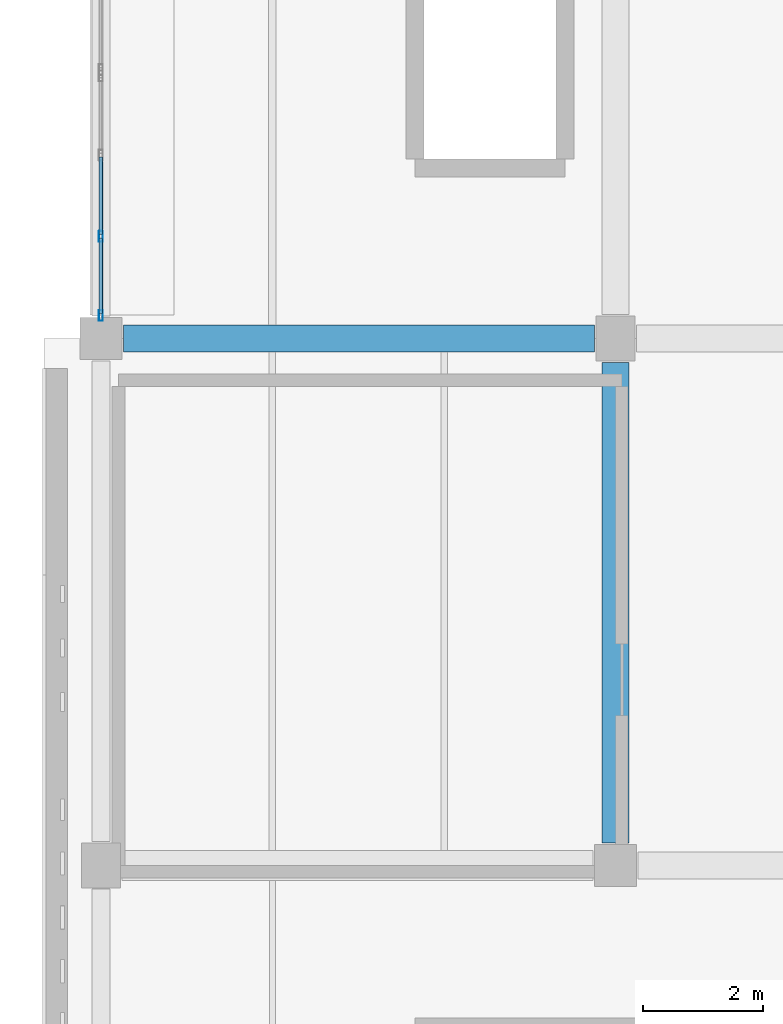
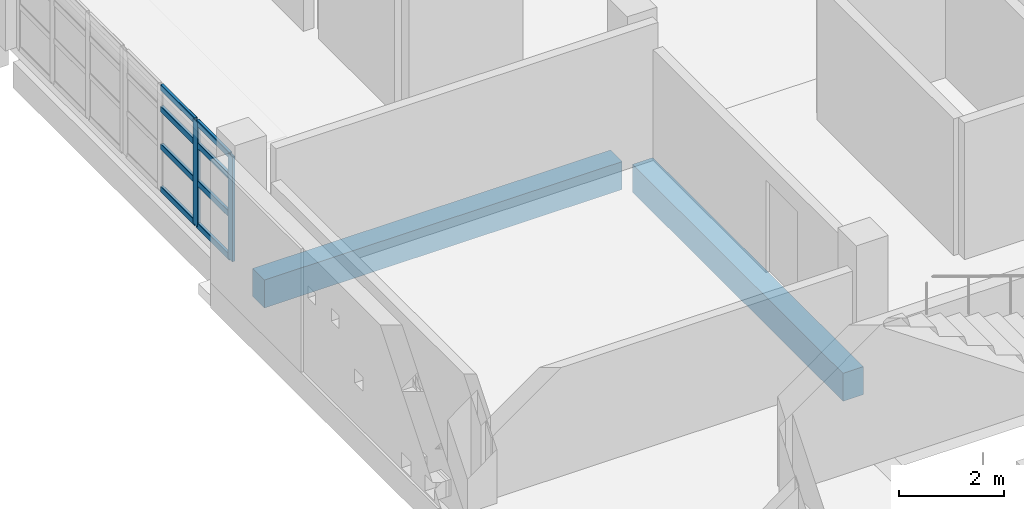
# One storey, part 7 of 55: 10 members, 2 beams, 1 element without a shape of its own.
"""IFC4 building model written with IfcOpenShell, lengths in metres."""

from ifc_helpers import new_model, si_unit, direction, frame, origin, origin_2d, place, context, subcontext, project, spatial, rectangle, hollow_rectangle, extrude, material, material_profile, profile_set, type_object, element, aggregate, save


model = new_model("IFC4")

# Units and contexts
model_context = context("Model", 3, precision=1e-05, world=origin(), true_north=direction((0.0, 1.0)))
body_context = subcontext(model_context, "Body", "Model", "MODEL_VIEW")
ifc_project = project(units=[si_unit("LENGTHUNIT", "METRE"), si_unit("AREAUNIT", "SQUARE_METRE"), si_unit("VOLUMEUNIT", "CUBIC_METRE"), si_unit("PLANEANGLEUNIT", "RADIAN"), si_unit("MASSUNIT", "GRAM", prefix="KILO")], contexts=[model_context])

# Site, building, storey
site_placement = place(None, origin())
site = spatial("IfcSite", under=ifc_project, at=site_placement, CompositionType="ELEMENT")
building_placement = place(site_placement, origin())
building = spatial("IfcBuilding", under=site, at=building_placement, Name="Varnakota Cinema and Media Centre", CompositionType="ELEMENT")
storey_placement = place(building_placement, frame((0.0, 0.0, 15.60009765625)))
storey = spatial("IfcBuildingStorey", under=building, at=storey_placement, Name="L04", CompositionType="ELEMENT", Elevation=15.60009765625)

# Beams
ifc_material_1 = material(Name="Concrete M35", Category="concrete")
ifc_material_profile_1 = material_profile(ifc_material_1, rectangle(XDim=0.449951171875, YDim=0.64990234375, at=origin_2d()), Name="RCB 450x650")
ifc_profile_set_1 = profile_set([ifc_material_profile_1], Name="Concrete M35")
beam_type = type_object("IfcBeamType", Name="BM-RC-450x650", PredefinedType="BEAM", material=ifc_profile_set_1)
beam_1_placement = place(storey_placement, frame((0.375, 35.199951171875, -0.5751953125), z_axis=(1.0, 0.0, 0.0), x_axis=(0.0, 1.0, 0.0)))
element("IfcBeam", 1, at=beam_1_placement, inside=storey, type_object=beam_type, Name="L04 girder A-B/5", PredefinedType="BEAM", context=body_context, shape_type="SweptSolid", body=[
    extrude(rectangle(XDim=0.449951171875, YDim=0.64990234375, at=origin_2d()), origin(), (0.0, 0.0, 1.0), 7.875),
])
beam_2_placement = place(storey_placement, frame((8.60009765625, 26.77490234375, -0.5751953125), z_axis=(0.0, 1.0, 0.0), x_axis=(-1.0, 0.0, 0.0)))
element("IfcBeam", 2, at=beam_2_placement, inside=storey, type_object=beam_type, Name="L04 girder B/4-5", PredefinedType="BEAM", context=body_context, shape_type="SweptSolid", body=[
    extrude(rectangle(XDim=0.449951171875, YDim=0.64990234375, at=origin_2d()), origin(), (0.0, 0.0, 1.0), 8.025146484375),
])

# Curtain wall, members
ifc_material_2 = material(Name="Thermally broken anodised aluminium AW-6063", Category="aluminium")
curtain_wall_type = type_object("IfcCurtainWallType", Name="CW-STD-407x244", PredefinedType="USERDEFINED", material=ifc_material_2)
curtain_wall_placement = place(storey_placement, origin())
curtain_wall = element("IfcCurtainWall", 3, at=curtain_wall_placement, inside=storey, type_object=curtain_wall_type, Name="L04 curtain wall CW-L04-V5-W-03-2", ObjectType="UNITISED CURTAIN WALL", PredefinedType="USERDEFINED")
ifc_material_3 = material(Name="Thermally broken anodised aluminium AW-6063", Category="aluminium")
ifc_material_profile_2 = material_profile(ifc_material_3, hollow_rectangle(XDim=0.06494140625, YDim=0.179931640625, WallThickness=0.00390625, InnerFilletRadius=0.00390625, OuterFilletRadius=0.008056640625, at=origin_2d()), Name="AL-MULLION 180x65x4")
ifc_profile_set_2 = profile_set([ifc_material_profile_2], Name="Thermally broken anodised aluminium AW-6063")
member_type_1 = type_object("IfcMemberType", Name="CWM-AL-180", PredefinedType="MULLION", material=ifc_profile_set_2)
member_1_placement = place(storey_placement, frame((0.0, 36.90576171875, 0.0), z_axis=(0.0, 0.0, 1.0), x_axis=(1.0, 0.0, 0.0)))
member_1 = element("IfcMember", 4, at=member_1_placement, type_object=member_type_1, Name="CW51 mullion 3", PredefinedType="MULLION", context=body_context, shape_type="SweptSolid", body=[
    extrude(hollow_rectangle(XDim=0.06494140625, YDim=0.179931640625, WallThickness=0.00390625, InnerFilletRadius=0.00390625, OuterFilletRadius=0.008056640625, at=origin_2d()), origin(), (0.0, 0.0, 1.0), 2.434814453125),
])
member_2_placement = place(storey_placement, frame((0.0, 35.58251953125, 0.0), z_axis=(0.0, 0.0, 1.0), x_axis=(1.0, 0.0, 0.0)))
member_2 = element("IfcMember", 5, at=member_2_placement, type_object=member_type_1, Name="CW51 mullion 4", PredefinedType="MULLION", context=body_context, shape_type="SweptSolid", body=[
    extrude(hollow_rectangle(XDim=0.06494140625, YDim=0.179931640625, WallThickness=0.00390625, InnerFilletRadius=0.00390625, OuterFilletRadius=0.008056640625, at=origin_2d()), origin(), (0.0, 0.0, 1.0), 2.434814453125),
])
ifc_material_4 = material(Name="Thermally broken anodised aluminium AW-6063", Category="aluminium")
ifc_material_profile_3 = material_profile(ifc_material_4, hollow_rectangle(XDim=0.06494140625, YDim=0.139892578125, WallThickness=0.00390625, InnerFilletRadius=0.00390625, OuterFilletRadius=0.008056640625, at=origin_2d()), Name="AL-TRANSOM 140x65x4")
ifc_profile_set_3 = profile_set([ifc_material_profile_3], Name="Thermally broken anodised aluminium AW-6063")
member_type_2 = type_object("IfcMemberType", Name="CWT-AL-140", PredefinedType="USERDEFINED", material=ifc_profile_set_3)
member_3_placement = place(storey_placement, frame((0.0, 38.229248046875, 0.032470703125), z_axis=(0.0, -1.0, 0.0), x_axis=(1.0, 0.0, 0.0)))
member_3 = element("IfcMember", 6, at=member_3_placement, type_object=member_type_2, Name="CW51 transom 2.1", ObjectType="TRANSOM", PredefinedType="USERDEFINED", context=body_context, shape_type="SweptSolid", body=[
    extrude(hollow_rectangle(XDim=0.06494140625, YDim=0.139892578125, WallThickness=0.00390625, InnerFilletRadius=0.00390625, OuterFilletRadius=0.008056640625, at=origin_2d()), origin(), (0.0, 0.0, 1.0), 1.291015625),
])
member_4_placement = place(storey_placement, frame((0.0, 38.229248046875, 1.022705078125), z_axis=(0.0, -1.0, 0.0), x_axis=(1.0, 0.0, 0.0)))
member_4 = element("IfcMember", 7, at=member_4_placement, type_object=member_type_2, Name="CW51 transom 2.2", ObjectType="TRANSOM", PredefinedType="USERDEFINED", context=body_context, shape_type="SweptSolid", body=[
    extrude(hollow_rectangle(XDim=0.06494140625, YDim=0.139892578125, WallThickness=0.00390625, InnerFilletRadius=0.00390625, OuterFilletRadius=0.008056640625, at=origin_2d()), origin(), (0.0, 0.0, 1.0), 1.291015625),
])
member_5_placement = place(storey_placement, frame((0.0, 38.229248046875, 1.899169921875), z_axis=(0.0, -1.0, 0.0), x_axis=(1.0, 0.0, 0.0)))
member_5 = element("IfcMember", 8, at=member_5_placement, type_object=member_type_2, Name="CW51 transom 2.3", ObjectType="TRANSOM", PredefinedType="USERDEFINED", context=body_context, shape_type="SweptSolid", body=[
    extrude(hollow_rectangle(XDim=0.06494140625, YDim=0.139892578125, WallThickness=0.00390625, InnerFilletRadius=0.00390625, OuterFilletRadius=0.008056640625, at=origin_2d()), origin(), (0.0, 0.0, 1.0), 1.291015625),
])
member_6_placement = place(storey_placement, frame((0.0, 38.229248046875, 2.40234375), z_axis=(0.0, -1.0, 0.0), x_axis=(1.0, 0.0, 0.0)))
member_6 = element("IfcMember", 9, at=member_6_placement, type_object=member_type_2, Name="CW51 transom 2.4", ObjectType="TRANSOM", PredefinedType="USERDEFINED", context=body_context, shape_type="SweptSolid", body=[
    extrude(hollow_rectangle(XDim=0.06494140625, YDim=0.139892578125, WallThickness=0.00390625, InnerFilletRadius=0.00390625, OuterFilletRadius=0.008056640625, at=origin_2d()), origin(), (0.0, 0.0, 1.0), 1.291015625),
])
member_7_placement = place(storey_placement, frame((0.0, 36.873291015625, 0.032470703125), z_axis=(0.0, -1.0, 0.0), x_axis=(1.0, 0.0, 0.0)))
member_7 = element("IfcMember", 10, at=member_7_placement, type_object=member_type_2, Name="CW51 transom 3.1", ObjectType="TRANSOM", PredefinedType="USERDEFINED", context=body_context, shape_type="SweptSolid", body=[
    extrude(hollow_rectangle(XDim=0.06494140625, YDim=0.139892578125, WallThickness=0.00390625, InnerFilletRadius=0.00390625, OuterFilletRadius=0.008056640625, at=origin_2d()), origin(), (0.0, 0.0, 1.0), 1.25830078125),
])
member_8_placement = place(storey_placement, frame((0.0, 36.873291015625, 1.022705078125), z_axis=(0.0, -1.0, 0.0), x_axis=(1.0, 0.0, 0.0)))
member_8 = element("IfcMember", 11, at=member_8_placement, type_object=member_type_2, Name="CW51 transom 3.2", ObjectType="TRANSOM", PredefinedType="USERDEFINED", context=body_context, shape_type="SweptSolid", body=[
    extrude(hollow_rectangle(XDim=0.06494140625, YDim=0.139892578125, WallThickness=0.00390625, InnerFilletRadius=0.00390625, OuterFilletRadius=0.008056640625, at=origin_2d()), origin(), (0.0, 0.0, 1.0), 1.25830078125),
])
member_9_placement = place(storey_placement, frame((0.0, 36.873291015625, 1.899169921875), z_axis=(0.0, -1.0, 0.0), x_axis=(1.0, 0.0, 0.0)))
member_9 = element("IfcMember", 12, at=member_9_placement, type_object=member_type_2, Name="CW51 transom 3.3", ObjectType="TRANSOM", PredefinedType="USERDEFINED", context=body_context, shape_type="SweptSolid", body=[
    extrude(hollow_rectangle(XDim=0.06494140625, YDim=0.139892578125, WallThickness=0.00390625, InnerFilletRadius=0.00390625, OuterFilletRadius=0.008056640625, at=origin_2d()), origin(), (0.0, 0.0, 1.0), 1.25830078125),
])
member_10_placement = place(storey_placement, frame((0.0, 36.873291015625, 2.40234375), z_axis=(0.0, -1.0, 0.0), x_axis=(1.0, 0.0, 0.0)))
member_10 = element("IfcMember", 13, at=member_10_placement, type_object=member_type_2, Name="CW51 transom 3.4", ObjectType="TRANSOM", PredefinedType="USERDEFINED", context=body_context, shape_type="SweptSolid", body=[
    extrude(hollow_rectangle(XDim=0.06494140625, YDim=0.139892578125, WallThickness=0.00390625, InnerFilletRadius=0.00390625, OuterFilletRadius=0.008056640625, at=origin_2d()), origin(), (0.0, 0.0, 1.0), 1.25830078125),
])
aggregate(curtain_wall, [member_1, member_2, member_3, member_4, member_5, member_6, member_7, member_8, member_9, member_10])

save(model, "model.ifc")
